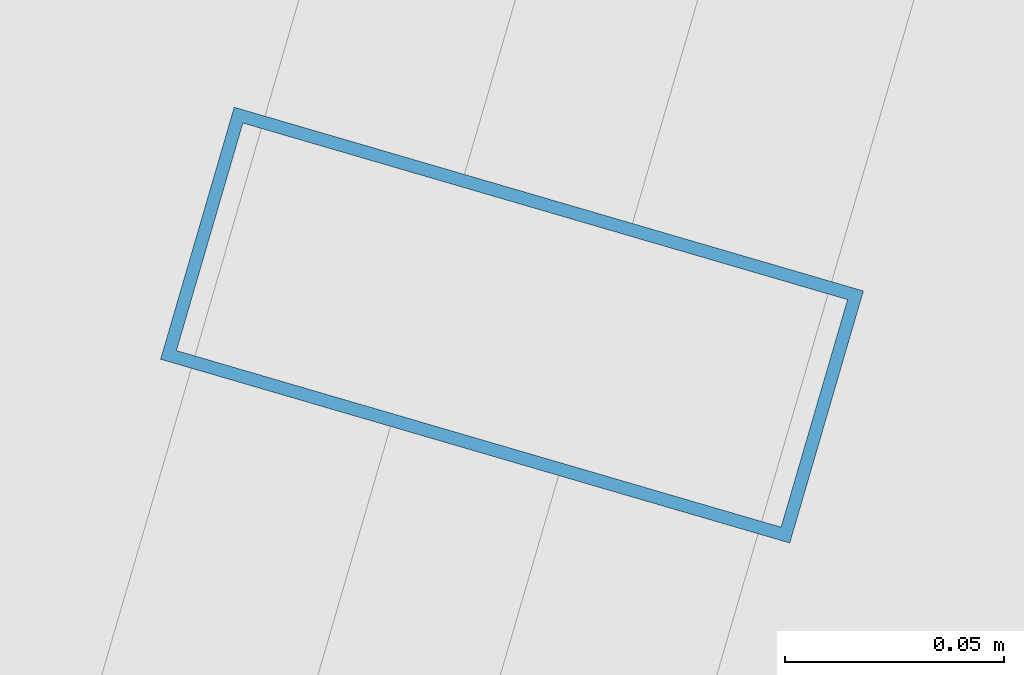
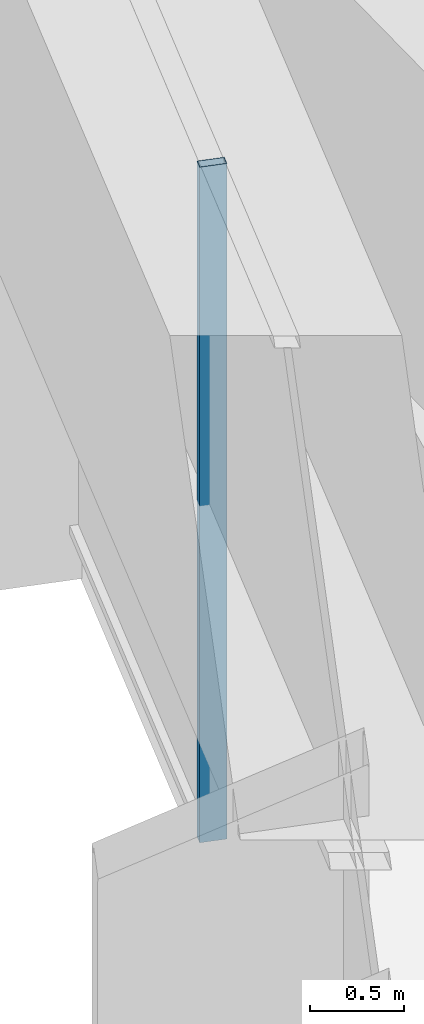
# One storey, part 16 of 39: 1 member, 1 element without a shape of its own.
"""IFC4 building model written with IfcOpenShell, lengths in metres."""

from ifc_helpers import new_model, si_unit, direction, frame, origin, origin_2d, place, context, subcontext, project, spatial, hollow_rectangle, extrude, source, transform, mapped, material, layer, layer_set, material_profile, profile_set, type_object, element, aggregate, save


model = new_model("IFC4")

# Units and contexts
model_context = context("Model", 3, precision=1e-05, world=origin(), true_north=direction((0.0, 1.0)))
body_context = subcontext(model_context, "Body", "Model", "MODEL_VIEW")
ifc_project = project(units=[si_unit("LENGTHUNIT", "METRE"), si_unit("AREAUNIT", "SQUARE_METRE"), si_unit("VOLUMEUNIT", "CUBIC_METRE"), si_unit("PLANEANGLEUNIT", "RADIAN"), si_unit("MASSUNIT", "GRAM", prefix="KILO")], contexts=[model_context])

# Site, building, storey
site_placement = place(None, origin())
site = spatial("IfcSite", under=ifc_project, at=site_placement, CompositionType="ELEMENT")
building_placement = place(site_placement, origin())
building = spatial("IfcBuilding", under=site, at=building_placement, Name="Veraguas Prism Commons", CompositionType="ELEMENT")
storey_placement = place(building_placement, frame((0.0, 0.0, 264.25)))
storey = spatial("IfcBuildingStorey", under=building, at=storey_placement, Name="L75", CompositionType="ELEMENT", Elevation=264.25)

# Curtain wall, member
ifc_material = material(Name="Anodised aluminium EN AW-6063 T6", Category="aluminium")
ifc_layer = layer(ifc_material, 0.14990234375, Name="Unitised Flush Curtain Wall Zone 4", Category="aluminium")
ifc_layer_set = layer_set([ifc_layer], Name="Anodised aluminium EN AW-6063 T6")
curtain_wall_type = type_object("IfcCurtainWallType", Name="Unitised Flush Curtain Wall Zone 4", PredefinedType="NOTDEFINED", material=ifc_layer_set)
curtain_wall_placement = place(storey_placement, origin())
curtain_wall = element("IfcCurtainWall", 1, at=curtain_wall_placement, inside=storey, type_object=curtain_wall_type, Name="Tower Facade Curtain Wall L75-F3", PredefinedType="NOTDEFINED")
ifc_material_profile = material_profile(ifc_material, hollow_rectangle(XDim=0.06005859375, YDim=0.14990234375, WallThickness=0.0029296875, at=origin_2d()), Name="AL60X150X3")
ifc_profile_set = profile_set([ifc_material_profile], Name="Anodised aluminium EN AW-6063 T6")
member_type = type_object("IfcMemberType", Name="Curtain Wall Mullion Upper AL 60x150x3", PredefinedType="MULLION", material=ifc_profile_set)
shared_shape = source(origin(), body_context, "Body", "SweptSolid", [
    extrude(hollow_rectangle(XDim=0.06005859375, YDim=0.14990234375, WallThickness=0.0029296875, at=origin_2d()), origin(), (0.0, 0.0, 1.0), 4.389892578125),
])
member_placement = place(storey_placement, frame((8.205322265625, 28.61279296875, 0.0), z_axis=(0.0, 0.0, 1.0), x_axis=(-0.28033835796, -0.959901247554, 0.0)))
member = element("IfcMember", 2, at=member_placement, type_object=member_type, Name="CW-Z4 Mullion 3", PredefinedType="MULLION", context=body_context, shape_type="MappedRepresentation", body=[
    mapped(shared_shape, transform((0.0, 0.0, 0.0), scale=1.0)),
])
aggregate(curtain_wall, [member])

save(model, "model.ifc")
